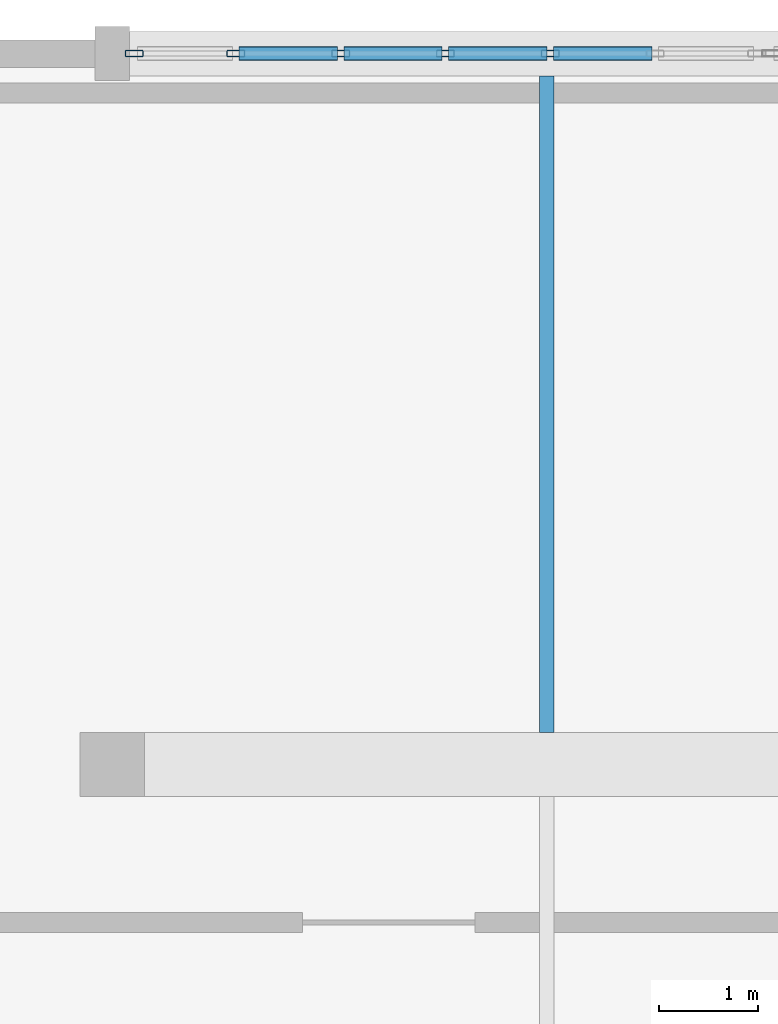
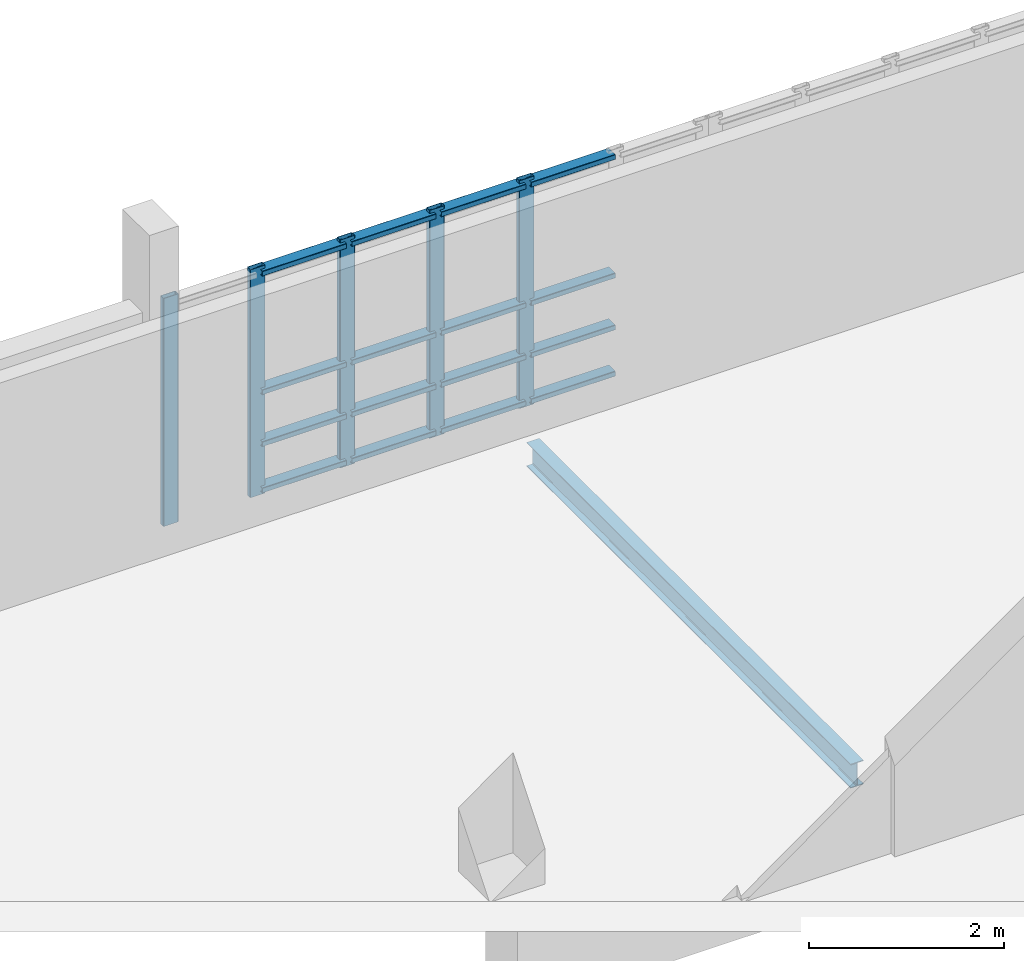
# One storey, part 10 of 25: 21 members, 1 beam, 1 element without a shape of its own.
"""IFC4 building model written with IfcOpenShell, lengths in metres."""

from ifc_helpers import new_model, si_unit, direction, frame, origin, origin_2d, place, context, subcontext, project, spatial, hollow_rectangle, i_section, extrude, material, layer, layer_set, material_profile, profile_set, type_object, element, aggregate, save


model = new_model("IFC4")

# Units and contexts
model_context = context("Model", 3, precision=1e-05, world=origin(), true_north=direction((0.0, 1.0)))
body_context = subcontext(model_context, "Body", "Model", "MODEL_VIEW")
ifc_project = project(units=[si_unit("LENGTHUNIT", "METRE"), si_unit("AREAUNIT", "SQUARE_METRE"), si_unit("VOLUMEUNIT", "CUBIC_METRE"), si_unit("PLANEANGLEUNIT", "RADIAN"), si_unit("MASSUNIT", "GRAM", prefix="KILO")], contexts=[model_context])

# Site, building, storey
site_placement = place(None, origin())
site = spatial("IfcSite", under=ifc_project, at=site_placement, CompositionType="ELEMENT")
building_placement = place(site_placement, origin())
building = spatial("IfcBuilding", under=site, at=building_placement, Name="Kisaragi Civic Commons", CompositionType="ELEMENT")
storey_placement = place(building_placement, frame((0.0, 0.0, 13.5)))
storey = spatial("IfcBuildingStorey", under=building, at=storey_placement, Name="L03", CompositionType="ELEMENT", Elevation=13.5)

# Curtain wall, members
ifc_material_1 = material(Name="Thermally broken anodized aluminium and low-E double glazing", Category="aluminium")
ifc_layer = layer(ifc_material_1, 0.179931640625, Name="Thermally broken anodized aluminium and low-E double glazing", Category="aluminium")
ifc_layer_set = layer_set([ifc_layer], Name="Thermally broken anodized aluminium and low-E double glazing")
curtain_wall_type = type_object("IfcCurtainWallType", Name="CW-01", PredefinedType="NOTDEFINED", material=ifc_layer_set)
curtain_wall_placement = place(storey_placement, origin())
curtain_wall = element("IfcCurtainWall", 1, at=curtain_wall_placement, inside=storey, type_object=curtain_wall_type, Name="L03 curtain wall CW-01 CW-V4-L03-101", PredefinedType="NOTDEFINED")
ifc_material_profile_1 = material_profile(ifc_material_1, hollow_rectangle(XDim=0.06494140625, YDim=0.179931640625, WallThickness=0.00439453125, InnerFilletRadius=0.00439453125, OuterFilletRadius=0.009033203125, at=origin_2d()), Name="CWM-65x180x4.5", Category="aluminium")
ifc_profile_set_1 = profile_set([ifc_material_profile_1], Name="Thermally broken anodized aluminium and low-E double glazing")
member_type_1 = type_object("IfcMemberType", Name="CWM-02", PredefinedType="MULLION", material=ifc_profile_set_1)
member_1_placement = place(storey_placement, frame((133.422607421875, 118.800048828125, 0.0), z_axis=(0.0, 0.0, 1.0), x_axis=(0.0, 1.0, 0.0)))
member_1 = element("IfcMember", 2, at=member_1_placement, type_object=member_type_1, Name="CW-01 mullion 1", PredefinedType="MULLION", context=body_context, shape_type="SweptSolid", body=[
    extrude(hollow_rectangle(XDim=0.06494140625, YDim=0.179931640625, WallThickness=0.00439453125, InnerFilletRadius=0.00439453125, OuterFilletRadius=0.009033203125, at=origin_2d()), origin(), (0.0, 0.0, 1.0), 2.85498046875),
])
member_2_placement = place(storey_placement, frame((134.45166015625, 118.800048828125, 0.0), z_axis=(0.0, 0.0, 1.0), x_axis=(0.0, 1.0, 0.0)))
member_2 = element("IfcMember", 3, at=member_2_placement, type_object=member_type_1, Name="CW-01 mullion 2", PredefinedType="MULLION", context=body_context, shape_type="SweptSolid", body=[
    extrude(hollow_rectangle(XDim=0.06494140625, YDim=0.179931640625, WallThickness=0.00439453125, InnerFilletRadius=0.00439453125, OuterFilletRadius=0.009033203125, at=origin_2d()), origin(), (0.0, 0.0, 1.0), 2.85498046875),
])
member_3_placement = place(storey_placement, frame((135.513427734375, 118.800048828125, 0.0), z_axis=(0.0, 0.0, 1.0), x_axis=(0.0, 1.0, 0.0)))
member_3 = element("IfcMember", 4, at=member_3_placement, type_object=member_type_1, Name="CW-01 mullion 3", PredefinedType="MULLION", context=body_context, shape_type="SweptSolid", body=[
    extrude(hollow_rectangle(XDim=0.06494140625, YDim=0.179931640625, WallThickness=0.00439453125, InnerFilletRadius=0.00439453125, OuterFilletRadius=0.009033203125, at=origin_2d()), origin(), (0.0, 0.0, 1.0), 2.85498046875),
])
member_4_placement = place(storey_placement, frame((136.574951171875, 118.800048828125, 0.0), z_axis=(0.0, 0.0, 1.0), x_axis=(0.0, 1.0, 0.0)))
member_4 = element("IfcMember", 5, at=member_4_placement, type_object=member_type_1, Name="CW-01 mullion 4", PredefinedType="MULLION", context=body_context, shape_type="SweptSolid", body=[
    extrude(hollow_rectangle(XDim=0.06494140625, YDim=0.179931640625, WallThickness=0.00439453125, InnerFilletRadius=0.00439453125, OuterFilletRadius=0.009033203125, at=origin_2d()), origin(), (0.0, 0.0, 1.0), 2.85498046875),
])
member_5_placement = place(storey_placement, frame((137.63671875, 118.800048828125, 0.0), z_axis=(0.0, 0.0, 1.0), x_axis=(0.0, 1.0, 0.0)))
member_5 = element("IfcMember", 6, at=member_5_placement, type_object=member_type_1, Name="CW-01 mullion 5", PredefinedType="MULLION", context=body_context, shape_type="SweptSolid", body=[
    extrude(hollow_rectangle(XDim=0.06494140625, YDim=0.179931640625, WallThickness=0.00439453125, InnerFilletRadius=0.00439453125, OuterFilletRadius=0.009033203125, at=origin_2d()), origin(), (0.0, 0.0, 1.0), 2.85498046875),
])
ifc_material_profile_2 = material_profile(ifc_material_1, hollow_rectangle(XDim=0.139892578125, YDim=0.06494140625, WallThickness=0.00439453125, InnerFilletRadius=0.00439453125, OuterFilletRadius=0.009033203125, at=origin_2d()), Name="CWT-65x140x4.5", Category="aluminium")
ifc_profile_set_2 = profile_set([ifc_material_profile_2], Name="Thermally broken anodized aluminium and low-E double glazing")
member_type_2 = type_object("IfcMemberType", Name="CWT-02", PredefinedType="USERDEFINED", material=ifc_profile_set_2)
member_6_placement = place(storey_placement, frame((134.484130859375, 118.800048828125, 0.070068359375), z_axis=(1.0, 0.0, 0.0), x_axis=(0.0, 1.0, 0.0)))
member_6 = element("IfcMember", 7, at=member_6_placement, type_object=member_type_2, Name="CW-01 transom 2.1", ObjectType="TRANSOM", PredefinedType="USERDEFINED", context=body_context, shape_type="SweptSolid", body=[
    extrude(hollow_rectangle(XDim=0.139892578125, YDim=0.06494140625, WallThickness=0.00439453125, InnerFilletRadius=0.00439453125, OuterFilletRadius=0.009033203125, at=origin_2d()), origin(), (0.0, 0.0, 1.0), 0.99658203125),
])
member_7_placement = place(storey_placement, frame((134.484130859375, 118.800048828125, 0.64990234375), z_axis=(1.0, 0.0, 0.0), x_axis=(0.0, 1.0, 0.0)))
member_7 = element("IfcMember", 8, at=member_7_placement, type_object=member_type_2, Name="CW-01 transom 2.2", ObjectType="TRANSOM", PredefinedType="USERDEFINED", context=body_context, shape_type="SweptSolid", body=[
    extrude(hollow_rectangle(XDim=0.139892578125, YDim=0.06494140625, WallThickness=0.00439453125, InnerFilletRadius=0.00439453125, OuterFilletRadius=0.009033203125, at=origin_2d()), origin(), (0.0, 0.0, 1.0), 0.99658203125),
])
member_8_placement = place(storey_placement, frame((134.484130859375, 118.800048828125, 1.300048828125), z_axis=(1.0, 0.0, 0.0), x_axis=(0.0, 1.0, 0.0)))
member_8 = element("IfcMember", 9, at=member_8_placement, type_object=member_type_2, Name="CW-01 transom 2.3", ObjectType="TRANSOM", PredefinedType="USERDEFINED", context=body_context, shape_type="SweptSolid", body=[
    extrude(hollow_rectangle(XDim=0.139892578125, YDim=0.06494140625, WallThickness=0.00439453125, InnerFilletRadius=0.00439453125, OuterFilletRadius=0.009033203125, at=origin_2d()), origin(), (0.0, 0.0, 1.0), 0.99658203125),
])
member_9_placement = place(storey_placement, frame((134.484130859375, 118.800048828125, 2.784912109375), z_axis=(1.0, 0.0, 0.0), x_axis=(0.0, 1.0, 0.0)))
member_9 = element("IfcMember", 10, at=member_9_placement, type_object=member_type_2, Name="CW-01 transom 2.4", ObjectType="TRANSOM", PredefinedType="USERDEFINED", context=body_context, shape_type="SweptSolid", body=[
    extrude(hollow_rectangle(XDim=0.139892578125, YDim=0.06494140625, WallThickness=0.00439453125, InnerFilletRadius=0.00439453125, OuterFilletRadius=0.009033203125, at=origin_2d()), origin(), (0.0, 0.0, 1.0), 0.99658203125),
])
member_10_placement = place(storey_placement, frame((135.5458984375, 118.800048828125, 0.070068359375), z_axis=(1.0, 0.0, 0.0), x_axis=(0.0, 1.0, 0.0)))
member_10 = element("IfcMember", 11, at=member_10_placement, type_object=member_type_2, Name="CW-01 transom 3.1", ObjectType="TRANSOM", PredefinedType="USERDEFINED", context=body_context, shape_type="SweptSolid", body=[
    extrude(hollow_rectangle(XDim=0.139892578125, YDim=0.06494140625, WallThickness=0.00439453125, InnerFilletRadius=0.00439453125, OuterFilletRadius=0.009033203125, at=origin_2d()), origin(), (0.0, 0.0, 1.0), 0.99658203125),
])
member_11_placement = place(storey_placement, frame((135.5458984375, 118.800048828125, 0.64990234375), z_axis=(1.0, 0.0, 0.0), x_axis=(0.0, 1.0, 0.0)))
member_11 = element("IfcMember", 12, at=member_11_placement, type_object=member_type_2, Name="CW-01 transom 3.2", ObjectType="TRANSOM", PredefinedType="USERDEFINED", context=body_context, shape_type="SweptSolid", body=[
    extrude(hollow_rectangle(XDim=0.139892578125, YDim=0.06494140625, WallThickness=0.00439453125, InnerFilletRadius=0.00439453125, OuterFilletRadius=0.009033203125, at=origin_2d()), origin(), (0.0, 0.0, 1.0), 0.99658203125),
])
member_12_placement = place(storey_placement, frame((135.5458984375, 118.800048828125, 1.300048828125), z_axis=(1.0, 0.0, 0.0), x_axis=(0.0, 1.0, 0.0)))
member_12 = element("IfcMember", 13, at=member_12_placement, type_object=member_type_2, Name="CW-01 transom 3.3", ObjectType="TRANSOM", PredefinedType="USERDEFINED", context=body_context, shape_type="SweptSolid", body=[
    extrude(hollow_rectangle(XDim=0.139892578125, YDim=0.06494140625, WallThickness=0.00439453125, InnerFilletRadius=0.00439453125, OuterFilletRadius=0.009033203125, at=origin_2d()), origin(), (0.0, 0.0, 1.0), 0.99658203125),
])
member_13_placement = place(storey_placement, frame((135.5458984375, 118.800048828125, 2.784912109375), z_axis=(1.0, 0.0, 0.0), x_axis=(0.0, 1.0, 0.0)))
member_13 = element("IfcMember", 14, at=member_13_placement, type_object=member_type_2, Name="CW-01 transom 3.4", ObjectType="TRANSOM", PredefinedType="USERDEFINED", context=body_context, shape_type="SweptSolid", body=[
    extrude(hollow_rectangle(XDim=0.139892578125, YDim=0.06494140625, WallThickness=0.00439453125, InnerFilletRadius=0.00439453125, OuterFilletRadius=0.009033203125, at=origin_2d()), origin(), (0.0, 0.0, 1.0), 0.99658203125),
])
member_14_placement = place(storey_placement, frame((136.607421875, 118.800048828125, 0.070068359375), z_axis=(1.0, 0.0, 0.0), x_axis=(0.0, 1.0, 0.0)))
member_14 = element("IfcMember", 15, at=member_14_placement, type_object=member_type_2, Name="CW-01 transom 4.1", ObjectType="TRANSOM", PredefinedType="USERDEFINED", context=body_context, shape_type="SweptSolid", body=[
    extrude(hollow_rectangle(XDim=0.139892578125, YDim=0.06494140625, WallThickness=0.00439453125, InnerFilletRadius=0.00439453125, OuterFilletRadius=0.009033203125, at=origin_2d()), origin(), (0.0, 0.0, 1.0), 0.996826171875),
])
member_15_placement = place(storey_placement, frame((136.607421875, 118.800048828125, 0.64990234375), z_axis=(1.0, 0.0, 0.0), x_axis=(0.0, 1.0, 0.0)))
member_15 = element("IfcMember", 16, at=member_15_placement, type_object=member_type_2, Name="CW-01 transom 4.2", ObjectType="TRANSOM", PredefinedType="USERDEFINED", context=body_context, shape_type="SweptSolid", body=[
    extrude(hollow_rectangle(XDim=0.139892578125, YDim=0.06494140625, WallThickness=0.00439453125, InnerFilletRadius=0.00439453125, OuterFilletRadius=0.009033203125, at=origin_2d()), origin(), (0.0, 0.0, 1.0), 0.996826171875),
])
member_16_placement = place(storey_placement, frame((136.607421875, 118.800048828125, 1.300048828125), z_axis=(1.0, 0.0, 0.0), x_axis=(0.0, 1.0, 0.0)))
member_16 = element("IfcMember", 17, at=member_16_placement, type_object=member_type_2, Name="CW-01 transom 4.3", ObjectType="TRANSOM", PredefinedType="USERDEFINED", context=body_context, shape_type="SweptSolid", body=[
    extrude(hollow_rectangle(XDim=0.139892578125, YDim=0.06494140625, WallThickness=0.00439453125, InnerFilletRadius=0.00439453125, OuterFilletRadius=0.009033203125, at=origin_2d()), origin(), (0.0, 0.0, 1.0), 0.996826171875),
])
member_17_placement = place(storey_placement, frame((136.607421875, 118.800048828125, 2.784912109375), z_axis=(1.0, 0.0, 0.0), x_axis=(0.0, 1.0, 0.0)))
member_17 = element("IfcMember", 18, at=member_17_placement, type_object=member_type_2, Name="CW-01 transom 4.4", ObjectType="TRANSOM", PredefinedType="USERDEFINED", context=body_context, shape_type="SweptSolid", body=[
    extrude(hollow_rectangle(XDim=0.139892578125, YDim=0.06494140625, WallThickness=0.00439453125, InnerFilletRadius=0.00439453125, OuterFilletRadius=0.009033203125, at=origin_2d()), origin(), (0.0, 0.0, 1.0), 0.996826171875),
])
member_18_placement = place(storey_placement, frame((137.669189453125, 118.800048828125, 0.070068359375), z_axis=(1.0, 0.0, 0.0), x_axis=(0.0, 1.0, 0.0)))
member_18 = element("IfcMember", 19, at=member_18_placement, type_object=member_type_2, Name="CW-01 transom 5.1", ObjectType="TRANSOM", PredefinedType="USERDEFINED", context=body_context, shape_type="SweptSolid", body=[
    extrude(hollow_rectangle(XDim=0.139892578125, YDim=0.06494140625, WallThickness=0.00439453125, InnerFilletRadius=0.00439453125, OuterFilletRadius=0.009033203125, at=origin_2d()), origin(), (0.0, 0.0, 1.0), 0.99658203125),
])
member_19_placement = place(storey_placement, frame((137.669189453125, 118.800048828125, 0.64990234375), z_axis=(1.0, 0.0, 0.0), x_axis=(0.0, 1.0, 0.0)))
member_19 = element("IfcMember", 20, at=member_19_placement, type_object=member_type_2, Name="CW-01 transom 5.2", ObjectType="TRANSOM", PredefinedType="USERDEFINED", context=body_context, shape_type="SweptSolid", body=[
    extrude(hollow_rectangle(XDim=0.139892578125, YDim=0.06494140625, WallThickness=0.00439453125, InnerFilletRadius=0.00439453125, OuterFilletRadius=0.009033203125, at=origin_2d()), origin(), (0.0, 0.0, 1.0), 0.99658203125),
])
member_20_placement = place(storey_placement, frame((137.669189453125, 118.800048828125, 1.300048828125), z_axis=(1.0, 0.0, 0.0), x_axis=(0.0, 1.0, 0.0)))
member_20 = element("IfcMember", 21, at=member_20_placement, type_object=member_type_2, Name="CW-01 transom 5.3", ObjectType="TRANSOM", PredefinedType="USERDEFINED", context=body_context, shape_type="SweptSolid", body=[
    extrude(hollow_rectangle(XDim=0.139892578125, YDim=0.06494140625, WallThickness=0.00439453125, InnerFilletRadius=0.00439453125, OuterFilletRadius=0.009033203125, at=origin_2d()), origin(), (0.0, 0.0, 1.0), 0.99658203125),
])
member_21_placement = place(storey_placement, frame((137.669189453125, 118.800048828125, 2.784912109375), z_axis=(1.0, 0.0, 0.0), x_axis=(0.0, 1.0, 0.0)))
member_21 = element("IfcMember", 22, at=member_21_placement, type_object=member_type_2, Name="CW-01 transom 5.4", ObjectType="TRANSOM", PredefinedType="USERDEFINED", context=body_context, shape_type="SweptSolid", body=[
    extrude(hollow_rectangle(XDim=0.139892578125, YDim=0.06494140625, WallThickness=0.00439453125, InnerFilletRadius=0.00439453125, OuterFilletRadius=0.009033203125, at=origin_2d()), origin(), (0.0, 0.0, 1.0), 0.99658203125),
])
aggregate(curtain_wall, [member_1, member_2, member_3, member_4, member_5, member_6, member_7, member_8, member_9, member_10, member_11, member_12, member_13, member_14, member_15, member_16, member_17, member_18, member_19, member_20, member_21])

# Beam
ifc_material_2 = material(Name="Steel SN400 (SN400B)", Category="steel")
ifc_material_profile_3 = material_profile(ifc_material_2, i_section(OverallWidth=0.14990234375, OverallDepth=0.300048828125, WebThickness=0.006591796875, FlangeThickness=0.009033203125, FilletRadius=0.012939453125, at=origin_2d()), Name="H-300x150x6.5x9", Category="steel")
ifc_profile_set_3 = profile_set([ifc_material_profile_3], Name="Steel SN400 (SN400B)")
beam_type = type_object("IfcBeamType", Name="J-03", PredefinedType="JOIST", material=ifc_profile_set_3)
beam_placement = place(storey_placement, frame((137.60009765625, 111.925048828125, -0.445068359375), z_axis=(0.0, 1.0, 0.0), x_axis=(-1.0, 0.0, 0.0)))
element("IfcBeam", 23, at=beam_placement, inside=storey, type_object=beam_type, Name="L03 secondary steel joist J-03 78", PredefinedType="JOIST", context=body_context, shape_type="SweptSolid", body=[
    extrude(i_section(OverallWidth=0.14990234375, OverallDepth=0.300048828125, WebThickness=0.006591796875, FlangeThickness=0.009033203125, FilletRadius=0.012939453125, at=origin_2d()), origin(), (0.0, 0.0, 1.0), 6.64990234375),
])

save(model, "model.ifc")
